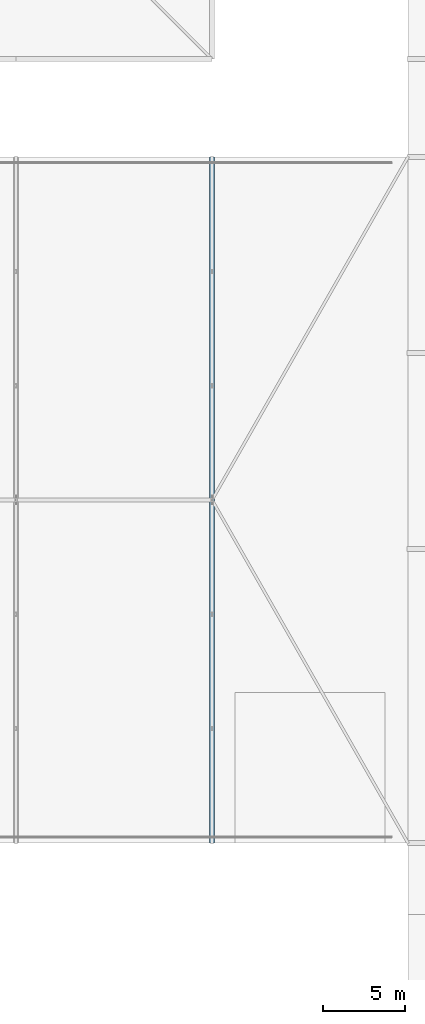
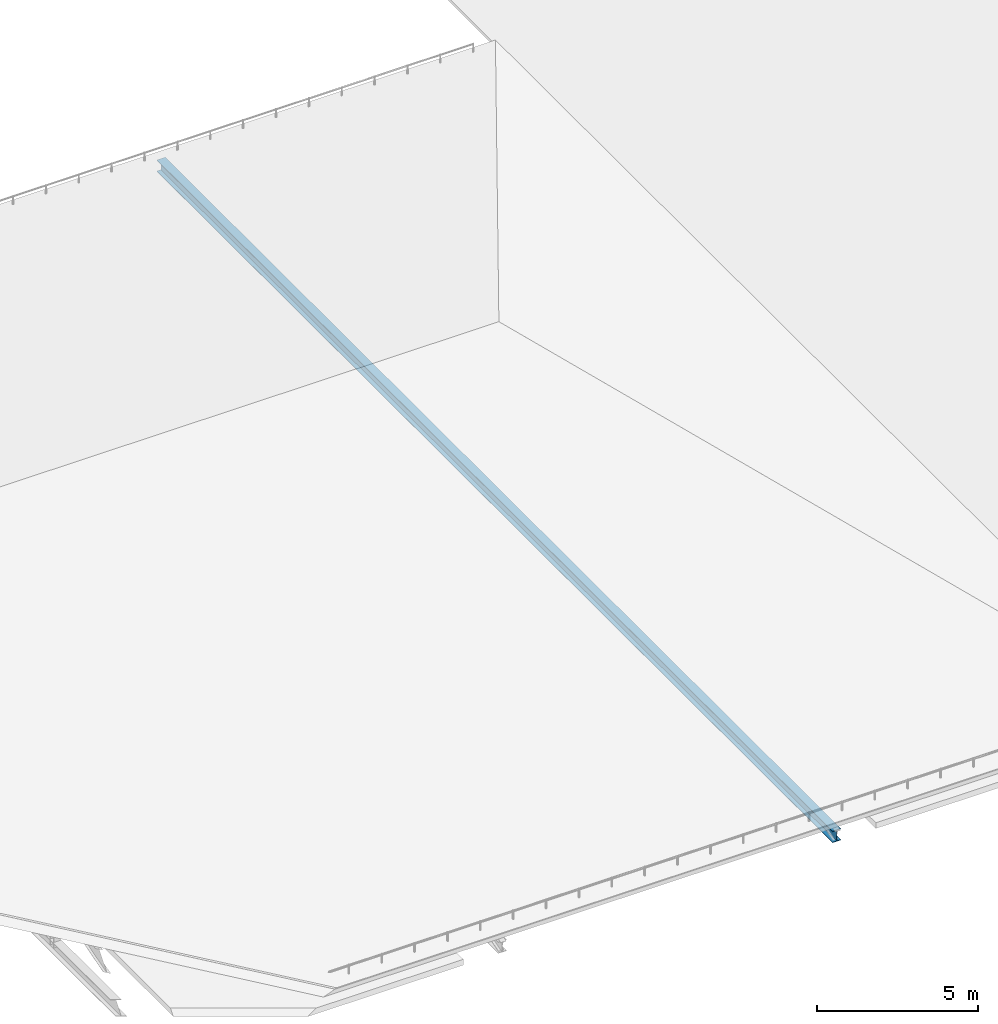
# One storey, part 14 of 204: 1 member.
"""IFC4 building model written with IfcOpenShell, lengths in metres."""

from ifc_helpers import new_model, si_unit, direction, frame, origin, origin_2d, place, context, subcontext, project, spatial, i_section, extrude, material, material_profile, profile_set, type_object, element, save


model = new_model("IFC4")

# Units and contexts
model_context = context("Model", 3, precision=1e-05, world=origin(), true_north=direction((0.0, 1.0)))
body_context = subcontext(model_context, "Body", "Model", "MODEL_VIEW")
ifc_project = project(units=[si_unit("LENGTHUNIT", "METRE"), si_unit("AREAUNIT", "SQUARE_METRE"), si_unit("VOLUMEUNIT", "CUBIC_METRE"), si_unit("PLANEANGLEUNIT", "RADIAN"), si_unit("MASSUNIT", "GRAM", prefix="KILO")], contexts=[model_context])

# Site, building, storey
site_placement = place(None, origin())
site = spatial("IfcSite", under=ifc_project, at=site_placement, CompositionType="ELEMENT")
building_placement = place(site_placement, origin())
building = spatial("IfcBuilding", under=site, at=building_placement, Name="Zilviju Railside Exhibition Hall", CompositionType="ELEMENT")
storey_placement = place(building_placement, frame((0.0, 0.0, 21.0)))
storey = spatial("IfcBuildingStorey", under=building, at=storey_placement, Name="RF", CompositionType="ELEMENT", Elevation=21.0)

# Member
ifc_material = material(Name="Steel S355J2", Category="steel")
ifc_material_profile = material_profile(ifc_material, i_section(OverallWidth=0.300048828125, OverallDepth=0.43994140625, WebThickness=0.011474609375, FlangeThickness=0.02099609375, at=origin_2d()), Name="HEA 450")
ifc_profile_set = profile_set([ifc_material_profile], Name="Steel S355J2")
member_type = type_object("IfcMemberType", Name="TR-CH-HEA450", PredefinedType="CHORD", material=ifc_profile_set)
member_placement = place(storey_placement, frame((36.0, 36.0, -8.39990234375), z_axis=(0.0, 1.0, 0.0), x_axis=(-1.0, 0.0, 0.0)))
element("IfcMember", 1, at=member_placement, inside=storey, type_object=member_type, Name="Congress Acoustic Truss Bottom Chord X=36.0", PredefinedType="CHORD", context=body_context, shape_type="SweptSolid", body=[
    extrude(i_section(OverallWidth=0.300048828125, OverallDepth=0.43994140625, WebThickness=0.011474609375, FlangeThickness=0.02099609375, at=origin_2d()), origin(), (0.0, 0.0, 1.0), 42.0),
])

save(model, "model.ifc")
